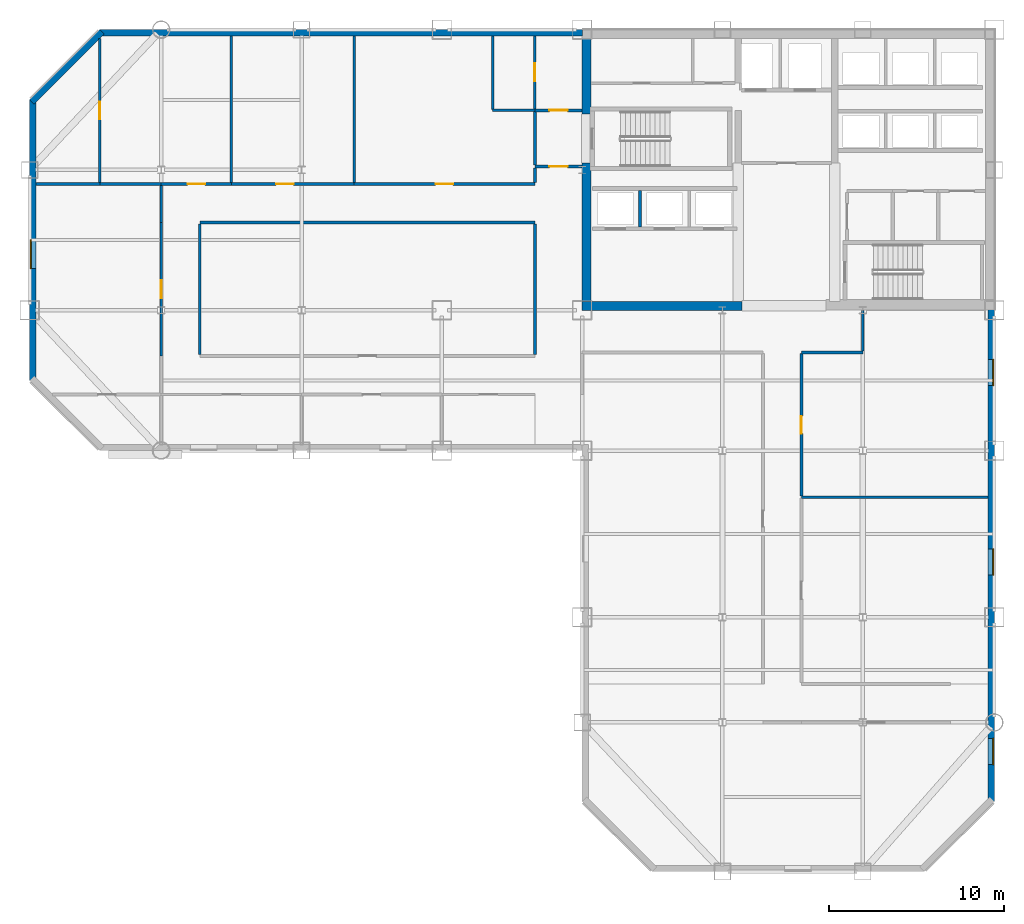
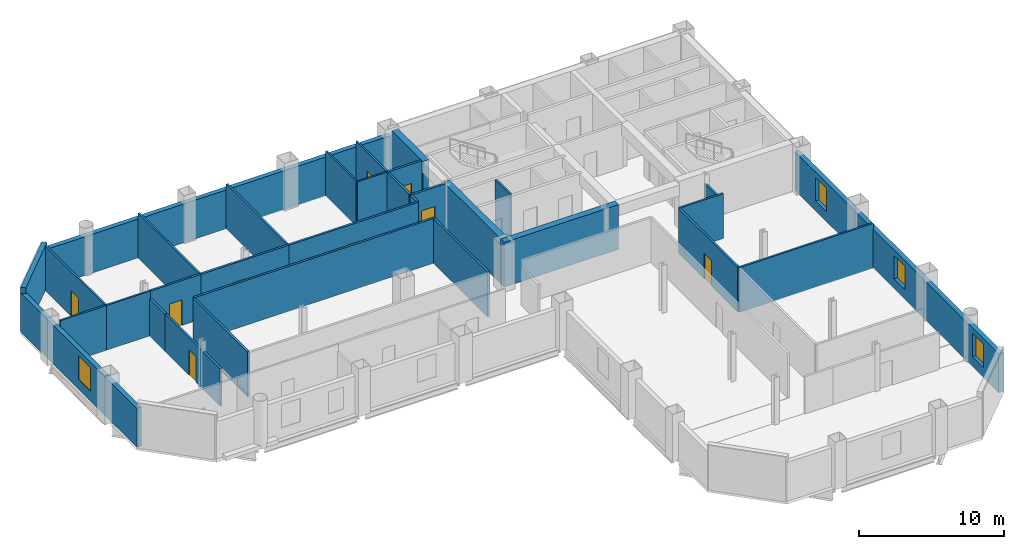
# One storey, part 6 of 10: 32 walls, 9 doors, 4 windows, 13 openings.
"""IFC4 building model written with IfcOpenShell, lengths in metres."""

from ifc_helpers import new_model, si_unit, direction, frame, frame_2d, origin, place, context, subcontext, project, spatial, rectangle, extrude, material, layer, layer_set, type_object, element, fill, save


model = new_model("IFC4")

# Units and contexts
model_context = context("Model", 3, precision=1e-05, world=origin(), true_north=direction((0.0, 1.0)))
body_context = subcontext(model_context, "Body", "Model", "MODEL_VIEW")
ifc_project = project(units=[si_unit("LENGTHUNIT", "METRE"), si_unit("AREAUNIT", "SQUARE_METRE"), si_unit("VOLUMEUNIT", "CUBIC_METRE"), si_unit("PLANEANGLEUNIT", "RADIAN"), si_unit("MASSUNIT", "GRAM", prefix="KILO")], contexts=[model_context])

# Site, building, storey
site_placement = place(None, origin())
site = spatial("IfcSite", under=ifc_project, at=site_placement, CompositionType="ELEMENT")
building_placement = place(site_placement, origin())
building = spatial("IfcBuilding", under=site, at=building_placement, Name="Qianrong Seaharbour Tower", CompositionType="ELEMENT")
storey_placement = place(building_placement, frame((0.0, 0.0, 175.0)))
storey = spatial("IfcBuildingStorey", under=building, at=storey_placement, Name="L42", CompositionType="ELEMENT", Elevation=175.0)

# Walls
ifc_material_1 = material(Name="Concrete C60/75", Category="concrete")
ifc_layer_1 = layer(ifc_material_1, 0.5)
ifc_layer_set_1 = layer_set([ifc_layer_1], Name="Concrete C60/75")
wall_type_1 = type_object("IfcWallType", Name="WALL-CORE-500", PredefinedType="SHEAR", material=ifc_layer_set_1)
wall_1_placement = place(storey_placement, frame((40.75, 36.5, 0.0), z_axis=(0.0, 0.0, 1.0), x_axis=(0.0, 1.0, 0.0)))
element("IfcWall", 1, at=wall_1_placement, inside=storey, type_object=wall_type_1, Name="L42 West Core Shear Wall South", PredefinedType="SHEAR", context=body_context, shape_type="SweptSolid", body=[
    extrude(rectangle(XDim=7.89990234375, YDim=0.5, at=frame_2d((3.949951171875, 0.0))), origin(), (0.0, 0.0, 1.0), 3.764892578125),
])
wall_2_placement = place(storey_placement, frame((40.75, 47.199951171875, 0.0), z_axis=(0.0, 0.0, 1.0), x_axis=(0.0, 1.0, 0.0)))
element("IfcWall", 2, at=wall_2_placement, inside=storey, type_object=wall_type_1, Name="L42 West Core Shear Wall North", PredefinedType="SHEAR", context=body_context, shape_type="SweptSolid", body=[
    extrude(rectangle(XDim=4.300048828125, YDim=0.5, at=frame_2d((2.14990234375, 0.0))), origin(), (0.0, 0.0, 1.0), 3.764892578125),
])
wall_3_placement = place(storey_placement, frame((40.5, 36.25, 0.0), z_axis=(0.0, 0.0, 1.0), x_axis=(1.0, 0.0, 0.0)))
element("IfcWall", 3, at=wall_3_placement, inside=storey, type_object=wall_type_1, Name="L42 South Core Shear Wall S1", PredefinedType="SHEAR", context=body_context, shape_type="SweptSolid", body=[
    extrude(rectangle(XDim=9.10009765625, YDim=0.5, at=frame_2d((4.550048828125, 0.0))), origin(), (0.0, 0.0, 1.0), 3.764892578125),
])

# Wall, opening, door
ifc_material_2 = material(Name="Fire-rated acoustic gypsum board partition")
ifc_layer_2 = layer(ifc_material_2, 0.1650390625)
ifc_layer_set_2 = layer_set([ifc_layer_2], Name="Fire-rated acoustic gypsum board partition")
wall_type_2 = type_object("IfcWallType", Name="WALL-CORR-PART-165", PredefinedType="PARTITIONING", material=ifc_layer_set_2)
wall_4_placement = place(storey_placement, frame((37.800048828125, 47.39990234375, 0.0), z_axis=(0.0, 0.0, 1.0), x_axis=(1.0, 0.0, 0.0)))
wall_4 = element("IfcWall", 4, at=wall_4_placement, inside=storey, type_object=wall_type_2, Name="L42 Interior Partition Wall 001", PredefinedType="PARTITIONING", context=body_context, shape_type="SweptSolid", body=[
    extrude(rectangle(XDim=2.699951171875, YDim=0.1650390625, at=frame_2d((1.35009765625, 0.0))), origin(), (0.0, 0.0, 1.0), 3.764892578125),
])
opening_1_placement = place(wall_4_placement, frame((0.824951171875, 0.0, 0.0)))
opening_1 = element("IfcOpeningElement", 5, at=opening_1_placement, cuts=wall_4, Name="Opening DC-01", PredefinedType="OPENING", context=body_context, shape_type="SweptSolid", body=[
    extrude(rectangle(XDim=1.050048828125, YDim=2.14990234375, at=frame_2d((0.52490234375, 1.074951171875))), frame((0.0, 0.092529296875, 0.0), z_axis=(0.0, -1.0, 0.0), x_axis=(1.0, 0.0, 0.0)), (0.0, 0.0, 1.0), 0.18505859375),
])
ifc_material_3 = material(Name="Acoustic timber and galvanized steel fire door assembly", Category="steel")
door_type_1 = type_object("IfcDoorType", Name="DOOR-CORR-FD60-1050x2150", OperationType="NOTDEFINED", PredefinedType="DOOR", material=ifc_material_3)
door_1_placement = place(opening_1_placement, origin())
door_1 = element("IfcDoor", 6, at=door_1_placement, inside=storey, type_object=door_type_1, Name="L42 Smokeproof Stair Vestibule ST-1 Door", OperationType="SINGLE_SWING_LEFT", OverallHeight=2.14990234375, OverallWidth=1.050048828125, PredefinedType="DOOR", context=body_context, shape_type="SweptSolid", body=[
    extrude(rectangle(XDim=1.050048828125, YDim=2.14990234375, at=frame_2d((0.52490234375, 1.074951171875))), frame((0.0, 0.02490234375, 0.0), z_axis=(0.0, -1.0, 0.0), x_axis=(1.0, 0.0, 0.0)), (0.0, 0.0, 1.0), 0.050048828125),
])
fill(opening_1, door_1)

wall_5_placement = place(storey_placement, frame((40.5, 44.199951171875, 0.0), z_axis=(0.0, 0.0, 1.0), x_axis=(-1.0, 0.0, 0.0)))
wall_5 = element("IfcWall", 7, at=wall_5_placement, inside=storey, type_object=wall_type_2, Name="L42 Interior Partition Wall 002", PredefinedType="PARTITIONING", context=body_context, shape_type="SweptSolid", body=[
    extrude(rectangle(XDim=2.699951171875, YDim=0.1650390625, at=frame_2d((1.35009765625, 0.0))), origin(), (0.0, 0.0, 1.0), 3.764892578125),
])
opening_2_placement = place(wall_5_placement, frame((0.824951171875, 0.0, 0.0)))
opening_2 = element("IfcOpeningElement", 8, at=opening_2_placement, cuts=wall_5, Name="Opening DC-01", PredefinedType="OPENING", context=body_context, shape_type="SweptSolid", body=[
    extrude(rectangle(XDim=1.050048828125, YDim=2.14990234375, at=frame_2d((0.52490234375, 1.074951171875))), frame((0.0, 0.092529296875, 0.0), z_axis=(0.0, -1.0, 0.0), x_axis=(1.0, 0.0, 0.0)), (0.0, 0.0, 1.0), 0.18505859375),
])
door_2_placement = place(opening_2_placement, origin())
door_2 = element("IfcDoor", 9, at=door_2_placement, inside=storey, type_object=door_type_1, Name="L42 Smokeproof Stair Vestibule ST-1 Door", OperationType="SINGLE_SWING_RIGHT", OverallHeight=2.14990234375, OverallWidth=1.050048828125, PredefinedType="DOOR", context=body_context, shape_type="SweptSolid", body=[
    extrude(rectangle(XDim=1.050048828125, YDim=2.14990234375, at=frame_2d((0.52490234375, 1.074951171875))), frame((0.0, 0.02490234375, 0.0), z_axis=(0.0, -1.0, 0.0), x_axis=(1.0, 0.0, 0.0)), (0.0, 0.0, 1.0), 0.050048828125),
])
fill(opening_2, door_2)

# Wall
wall_6_placement = place(storey_placement, frame((37.800048828125, 44.2744140625, 0.0), z_axis=(0.0, 0.0, 1.0), x_axis=(0.0, 1.0, 0.0)))
element("IfcWall", 10, at=wall_6_placement, inside=storey, type_object=wall_type_2, Name="L42 Interior Partition Wall 003", PredefinedType="PARTITIONING", context=body_context, shape_type="SweptSolid", body=[
    extrude(rectangle(XDim=3.051025390625, YDim=0.1650390625, at=frame_2d((1.525390625, 0.0))), origin(), (0.0, 0.0, 1.0), 3.764892578125),
])

# Wall, opening, door
wall_7_placement = place(storey_placement, frame((16.5, 43.199951171875, 0.0), z_axis=(0.0, 0.0, 1.0), x_axis=(1.0, 0.0, 0.0)))
wall_7 = element("IfcWall", 11, at=wall_7_placement, inside=storey, type_object=wall_type_2, Name="L42 Interior Partition Wall 022", PredefinedType="PARTITIONING", context=body_context, shape_type="SweptSolid", body=[
    extrude(rectangle(XDim=4.0, YDim=0.1650390625, at=frame_2d((2.0, 0.0))), origin(), (0.0, 0.0, 1.0), 3.764892578125),
])
opening_3_placement = place(wall_7_placement, frame((1.5, 0.0, 0.0)))
opening_3 = element("IfcOpeningElement", 12, at=opening_3_placement, cuts=wall_7, Name="Opening DO-01", PredefinedType="OPENING", context=body_context, shape_type="SweptSolid", body=[
    extrude(rectangle(XDim=1.0, YDim=2.14990234375, at=frame_2d((0.5, 1.074951171875))), frame((0.0, 0.092529296875, 0.0), z_axis=(0.0, -1.0, 0.0), x_axis=(1.0, 0.0, 0.0)), (0.0, 0.0, 1.0), 0.18505859375),
])
door_type_2 = type_object("IfcDoorType", Name="DOOR-OFFICE-1000x2150", OperationType="NOTDEFINED", PredefinedType="DOOR", material=ifc_material_3)
door_3_placement = place(opening_3_placement, origin())
door_3 = element("IfcDoor", 13, at=door_3_placement, inside=storey, type_object=door_type_2, Name="L42 Physiotherapy Room 2 Door", OperationType="SINGLE_SWING_RIGHT", OverallHeight=2.14990234375, OverallWidth=1.0, PredefinedType="DOOR", context=body_context, shape_type="SweptSolid", body=[
    extrude(rectangle(XDim=1.0, YDim=2.14990234375, at=frame_2d((0.5, 1.074951171875))), frame((0.0, 0.02490234375, 0.0), z_axis=(0.0, -1.0, 0.0), x_axis=(1.0, 0.0, 0.0)), (0.0, 0.0, 1.0), 0.050048828125),
])
fill(opening_3, door_3)

wall_8_placement = place(storey_placement, frame((20.5, 43.199951171875, 0.0), z_axis=(0.0, 0.0, 1.0), x_axis=(1.0, 0.0, 0.0)))
wall_8 = element("IfcWall", 14, at=wall_8_placement, inside=storey, type_object=wall_type_2, Name="L42 Interior Partition Wall 023", PredefinedType="PARTITIONING", context=body_context, shape_type="SweptSolid", body=[
    extrude(rectangle(XDim=7.0, YDim=0.1650390625, at=frame_2d((3.5, 0.0))), origin(), (0.0, 0.0, 1.0), 3.764892578125),
])
opening_4_placement = place(wall_8_placement, frame((2.550048828125, 0.0, 0.0)))
opening_4 = element("IfcOpeningElement", 15, at=opening_4_placement, cuts=wall_8, Name="Opening DO-01", PredefinedType="OPENING", context=body_context, shape_type="SweptSolid", body=[
    extrude(rectangle(XDim=1.0, YDim=2.14990234375, at=frame_2d((0.5, 1.074951171875))), frame((0.0, 0.092529296875, 0.0), z_axis=(0.0, -1.0, 0.0), x_axis=(1.0, 0.0, 0.0)), (0.0, 0.0, 1.0), 0.18505859375),
])
door_4_placement = place(opening_4_placement, origin())
door_4 = element("IfcDoor", 16, at=door_4_placement, inside=storey, type_object=door_type_2, Name="L42 First Aid Nursing Room 3 Door", OperationType="SINGLE_SWING_LEFT", OverallHeight=2.14990234375, OverallWidth=1.0, PredefinedType="DOOR", context=body_context, shape_type="SweptSolid", body=[
    extrude(rectangle(XDim=1.0, YDim=2.14990234375, at=frame_2d((0.5, 1.074951171875))), frame((0.0, 0.02490234375, 0.0), z_axis=(0.0, -1.0, 0.0), x_axis=(1.0, 0.0, 0.0)), (0.0, 0.0, 1.0), 0.050048828125),
])
fill(opening_4, door_4)

wall_9_placement = place(storey_placement, frame((27.5, 43.199951171875, 0.0), z_axis=(0.0, 0.0, 1.0), x_axis=(1.0, 0.0, 0.0)))
wall_9 = element("IfcWall", 17, at=wall_9_placement, inside=storey, type_object=wall_type_2, Name="L42 Interior Partition Wall 024", PredefinedType="PARTITIONING", context=body_context, shape_type="SweptSolid", body=[
    extrude(rectangle(XDim=10.300048828125, YDim=0.1650390625, at=frame_2d((5.14990234375, 0.0))), origin(), (0.0, 0.0, 1.0), 3.764892578125),
])
opening_5_placement = place(wall_9_placement, frame((4.64990234375, 0.0, 0.0)))
opening_5 = element("IfcOpeningElement", 18, at=opening_5_placement, cuts=wall_9, Name="Opening DO-01", PredefinedType="OPENING", context=body_context, shape_type="SweptSolid", body=[
    extrude(rectangle(XDim=1.0, YDim=2.14990234375, at=frame_2d((0.5, 1.074951171875))), frame((0.0, 0.092529296875, 0.0), z_axis=(0.0, -1.0, 0.0), x_axis=(1.0, 0.0, 0.0)), (0.0, 0.0, 1.0), 0.18505859375),
])
door_5_placement = place(opening_5_placement, origin())
door_5 = element("IfcDoor", 19, at=door_5_placement, inside=storey, type_object=door_type_2, Name="L42 Case Coordinator Office 4 Door", OperationType="SINGLE_SWING_RIGHT", OverallHeight=2.14990234375, OverallWidth=1.0, PredefinedType="DOOR", context=body_context, shape_type="SweptSolid", body=[
    extrude(rectangle(XDim=1.0, YDim=2.14990234375, at=frame_2d((0.5, 1.074951171875))), frame((0.0, 0.02490234375, 0.0), z_axis=(0.0, -1.0, 0.0), x_axis=(1.0, 0.0, 0.0)), (0.0, 0.0, 1.0), 0.050048828125),
])
fill(opening_5, door_5)

# Walls
wall_10_placement = place(storey_placement, frame((37.800048828125, 41.0, 0.0), z_axis=(0.0, 0.0, 1.0), x_axis=(-1.0, 0.0, 0.0)))
element("IfcWall", 20, at=wall_10_placement, inside=storey, type_object=wall_type_2, Name="L42 Interior Partition Wall 025", PredefinedType="PARTITIONING", context=body_context, shape_type="SweptSolid", body=[
    extrude(rectangle(XDim=19.10009765625, YDim=0.1650390625, at=frame_2d((9.550048828125, 0.0))), origin(), (0.0, 0.0, 1.0), 3.764892578125),
])
wall_11_placement = place(storey_placement, frame((16.5, 41.0, 0.0), z_axis=(0.0, 0.0, 1.0), x_axis=(0.0, 1.0, 0.0)))
element("IfcWall", 21, at=wall_11_placement, inside=storey, type_object=wall_type_2, Name="L42 Interior Partition Wall 026", PredefinedType="PARTITIONING", context=body_context, shape_type="SweptSolid", body=[
    extrude(rectangle(XDim=2.12548828125, YDim=0.1650390625, at=frame_2d((1.062744140625, 0.0))), origin(), (0.0, 0.0, 1.0), 3.156982421875),
])
wall_12_placement = place(storey_placement, frame((18.699951171875, 40.925537109375, 0.0), z_axis=(0.0, 0.0, 1.0), x_axis=(0.0, -1.0, 0.0)))
element("IfcWall", 22, at=wall_12_placement, inside=storey, type_object=wall_type_2, Name="L42 Interior Partition Wall 027", PredefinedType="PARTITIONING", context=body_context, shape_type="SweptSolid", body=[
    extrude(rectangle(XDim=7.450927734375, YDim=0.1650390625, at=frame_2d((3.7255859375, 0.0))), origin(), (0.0, 0.0, 1.0), 3.764892578125),
])

# Wall, opening, door
wall_13_placement = place(storey_placement, frame((16.5, 33.39990234375, 0.0), z_axis=(0.0, 0.0, 1.0), x_axis=(0.0, 1.0, 0.0)))
wall_13 = element("IfcWall", 23, at=wall_13_placement, inside=storey, type_object=wall_type_2, Name="L42 Interior Partition Wall 028", PredefinedType="PARTITIONING", context=body_context, shape_type="SweptSolid", body=[
    extrude(rectangle(XDim=7.60009765625, YDim=0.1650390625, at=frame_2d((3.800048828125, 0.0))), origin(), (0.0, 0.0, 1.0), 3.156982421875),
])
opening_6_placement = place(wall_13_placement, frame((3.300048828125, 0.0, 0.0)))
opening_6 = element("IfcOpeningElement", 24, at=opening_6_placement, cuts=wall_13, Name="Opening DO-01", PredefinedType="OPENING", context=body_context, shape_type="SweptSolid", body=[
    extrude(rectangle(XDim=1.0, YDim=2.14990234375, at=frame_2d((0.5, 1.074951171875))), frame((0.0, 0.092529296875, 0.0), z_axis=(0.0, -1.0, 0.0), x_axis=(1.0, 0.0, 0.0)), (0.0, 0.0, 1.0), 0.18505859375),
])
door_6_placement = place(opening_6_placement, origin())
door_6 = element("IfcDoor", 25, at=door_6_placement, inside=storey, type_object=door_type_2, Name="L42 Ergonomics Assessment Hall Door", OperationType="SINGLE_SWING_RIGHT", OverallHeight=2.14990234375, OverallWidth=1.0, PredefinedType="DOOR", context=body_context, shape_type="SweptSolid", body=[
    extrude(rectangle(XDim=1.0, YDim=2.14990234375, at=frame_2d((0.5, 1.074951171875))), frame((0.0, 0.02490234375, 0.0), z_axis=(0.0, -1.0, 0.0), x_axis=(1.0, 0.0, 0.0)), (0.0, 0.0, 1.0), 0.050048828125),
])
fill(opening_6, door_6)

# Walls
wall_14_placement = place(storey_placement, frame((37.800048828125, 43.2744140625, 0.0), z_axis=(0.0, 0.0, 1.0), x_axis=(0.0, 1.0, 0.0)))
element("IfcWall", 26, at=wall_14_placement, inside=storey, type_object=wall_type_2, Name="L42 Interior Partition Wall 029", PredefinedType="PARTITIONING", context=body_context, shape_type="SweptSolid", body=[
    extrude(rectangle(XDim=0.85107421875, YDim=0.1650390625, at=frame_2d((0.425537109375, 0.0))), origin(), (0.0, 0.0, 1.0), 3.764892578125),
])
wall_15_placement = place(storey_placement, frame((37.800048828125, 33.474609375, 0.0), z_axis=(0.0, 0.0, 1.0), x_axis=(0.0, 1.0, 0.0)))
element("IfcWall", 27, at=wall_15_placement, inside=storey, type_object=wall_type_2, Name="L42 Interior Partition Wall 030", PredefinedType="PARTITIONING", context=body_context, shape_type="SweptSolid", body=[
    extrude(rectangle(XDim=7.450927734375, YDim=0.1650390625, at=frame_2d((3.7255859375, 0.0))), origin(), (0.0, 0.0, 1.0), 3.764892578125),
])
wall_16_placement = place(storey_placement, frame((56.5, 36.0, 0.0), z_axis=(0.0, 0.0, 1.0), x_axis=(0.0, -1.0, 0.0)))
element("IfcWall", 28, at=wall_16_placement, inside=storey, type_object=wall_type_2, Name="L42 Interior Partition Wall 032", PredefinedType="PARTITIONING", context=body_context, shape_type="SweptSolid", body=[
    extrude(rectangle(XDim=2.325439453125, YDim=0.1650390625, at=frame_2d((1.16259765625, 0.0))), origin(), (0.0, 0.0, 1.0), 3.156982421875),
])
wall_17_placement = place(storey_placement, frame((56.5, 33.60009765625, 0.0), z_axis=(0.0, 0.0, 1.0), x_axis=(-1.0, 0.0, 0.0)))
element("IfcWall", 29, at=wall_17_placement, inside=storey, type_object=wall_type_2, Name="L42 Interior Partition Wall 033", PredefinedType="PARTITIONING", context=body_context, shape_type="SweptSolid", body=[
    extrude(rectangle(XDim=3.5, YDim=0.1650390625, at=frame_2d((1.75, 0.0))), origin(), (0.0, 0.0, 1.0), 3.764892578125),
])

# Wall, opening, door
wall_18_placement = place(storey_placement, frame((53.0, 33.525390625, 0.0), z_axis=(0.0, 0.0, 1.0), x_axis=(0.0, -1.0, 0.0)))
wall_18 = element("IfcWall", 30, at=wall_18_placement, inside=storey, type_object=wall_type_2, Name="L42 Interior Partition Wall 037", PredefinedType="PARTITIONING", context=body_context, shape_type="SweptSolid", body=[
    extrude(rectangle(XDim=8.11083984375, YDim=0.1650390625, at=frame_2d((4.055419921875, 0.0))), origin(), (0.0, 0.0, 1.0), 3.764892578125),
])
opening_7_placement = place(wall_18_placement, frame((3.555419921875, 0.0, 0.0)))
opening_7 = element("IfcOpeningElement", 31, at=opening_7_placement, cuts=wall_18, Name="Opening DO-01", PredefinedType="OPENING", context=body_context, shape_type="SweptSolid", body=[
    extrude(rectangle(XDim=1.0, YDim=2.14990234375, at=frame_2d((0.5, 1.074951171875))), frame((0.0, 0.092529296875, 0.0), z_axis=(0.0, -1.0, 0.0), x_axis=(1.0, 0.0, 0.0)), (0.0, 0.0, 1.0), 0.18505859375),
])
door_7_placement = place(opening_7_placement, origin())
door_7 = element("IfcDoor", 32, at=door_7_placement, inside=storey, type_object=door_type_2, Name="L42 Wellness Room 1 Door", OperationType="SINGLE_SWING_RIGHT", OverallHeight=2.14990234375, OverallWidth=1.0, PredefinedType="DOOR", context=body_context, shape_type="SweptSolid", body=[
    extrude(rectangle(XDim=1.0, YDim=2.14990234375, at=frame_2d((0.5, 1.074951171875))), frame((0.0, 0.02490234375, 0.0), z_axis=(0.0, -1.0, 0.0), x_axis=(1.0, 0.0, 0.0)), (0.0, 0.0, 1.0), 0.050048828125),
])
fill(opening_7, door_7)

# Wall, opening, window
ifc_material_4 = material(Name="Unitised red brick on Precast concrete C45/55", Category="masonry")
ifc_layer_3 = layer(ifc_material_4, 0.360107421875)
ifc_layer_set_3 = layer_set([ifc_layer_3], Name="Unitised red brick on Precast concrete C45/55")
wall_type_3 = type_object("IfcWallType", Name="WALL-EXT-BRICK-RED-360", PredefinedType="SOLIDWALL", material=ifc_layer_set_3)
wall_19_placement = place(storey_placement, frame((9.179931640625, 32.0, 0.0), z_axis=(0.0, 0.0, 1.0), x_axis=(0.0, 1.0, 0.0)))
wall_19 = element("IfcWall", 33, at=wall_19_placement, inside=storey, type_object=wall_type_3, Name="L42 Exterior Masonry Facade Wall WEST_TIP", PredefinedType="SOLIDWALL", context=body_context, shape_type="SweptSolid", body=[
    extrude(rectangle(XDim=16.0, YDim=0.360107421875, at=frame_2d((8.0, 0.0))), origin(), (0.0, 0.0, 1.0), 3.264892578125),
])
opening_8_placement = place(wall_19_placement, frame((6.375, 0.0, 0.85009765625)))
opening_8 = element("IfcOpeningElement", 34, at=opening_8_placement, cuts=wall_19, Name="Opening WN-04", PredefinedType="OPENING", context=body_context, shape_type="SweptSolid", body=[
    extrude(rectangle(XDim=1.64990234375, YDim=1.949951171875, at=frame_2d((0.824951171875, 0.97509765625))), frame((0.0, 0.18994140625, 0.0), z_axis=(0.0, -1.0, 0.0), x_axis=(1.0, 0.0, 0.0)), (0.0, 0.0, 1.0), 0.380126953125),
])
ifc_material_5 = material(Name="Insulated low-e double glazing in thermally broken aluminium 6063-T6 frame", Category="aluminium")
window_type_1 = type_object("IfcWindowType", Name="WIN-PUNCH-1650x1950", PartitioningType="DOUBLE_PANEL_VERTICAL", PredefinedType="WINDOW", material=ifc_material_5)
window_1_placement = place(opening_8_placement, origin())
window_1 = element("IfcWindow", 35, at=window_1_placement, inside=storey, type_object=window_type_1, Name="L42 Deep-Set Punched Window 03.02", OverallHeight=1.949951171875, OverallWidth=1.64990234375, PartitioningType="DOUBLE_PANEL_VERTICAL", PredefinedType="WINDOW", context=body_context, shape_type="SweptSolid", body=[
    extrude(rectangle(XDim=1.64990234375, YDim=1.949951171875, at=frame_2d((0.824951171875, 0.97509765625))), frame((0.0, 0.150146484375, 0.0), z_axis=(0.0, -1.0, 0.0), x_axis=(1.0, 0.0, 0.0)), (0.0, 0.0, 1.0), 0.06005859375),
])
fill(opening_8, window_1)

# Walls
wall_20_placement = place(storey_placement, frame((9.127197265625, 47.872802734375, 0.0), z_axis=(0.0, 0.0, 1.0), x_axis=(0.707106781187, 0.707106781187, 0.0)))
element("IfcWall", 36, at=wall_20_placement, inside=storey, type_object=wall_type_3, Name="L42 Exterior Masonry Facade Wall E04", PredefinedType="SOLIDWALL", context=body_context, shape_type="SweptSolid", body=[
    extrude(rectangle(XDim=5.65673828125, YDim=0.360107421875, at=frame_2d((2.828369140625, 0.0))), origin(), (0.0, 0.0, 1.0), 3.764892578125),
])
wall_21_placement = place(storey_placement, frame((13.0, 51.820068359375, 0.0), z_axis=(0.0, 0.0, 1.0), x_axis=(1.0, 0.0, 0.0)))
element("IfcWall", 37, at=wall_21_placement, inside=storey, type_object=wall_type_3, Name="L42 Exterior Masonry Facade Wall NORTH_WING", PredefinedType="SOLIDWALL", context=body_context, shape_type="SweptSolid", body=[
    extrude(rectangle(XDim=27.52001953125, YDim=0.360107421875, at=frame_2d((13.760009765625, 0.0))), origin(), (0.0, 0.0, 1.0), 3.264892578125),
])

# Wall, openings, windows
wall_22_placement = place(storey_placement, frame((63.820068359375, 36.050048828125, 0.0), z_axis=(0.0, 0.0, 1.0), x_axis=(0.0, -1.0, 0.0)))
wall_22 = element("IfcWall", 38, at=wall_22_placement, inside=storey, type_object=wall_type_3, Name="L42 Exterior Masonry Facade Wall EAST_WING", PredefinedType="SOLIDWALL", context=body_context, shape_type="SweptSolid", body=[
    extrude(rectangle(XDim=28.050048828125, YDim=0.360107421875, at=frame_2d((14.02490234375, 0.0))), origin(), (0.0, 0.0, 1.0), 3.264892578125),
])
opening_9_placement = place(wall_22_placement, frame((2.85009765625, 0.0, 0.85009765625)))
opening_9 = element("IfcOpeningElement", 39, at=opening_9_placement, cuts=wall_22, Name="Opening WN-03", PredefinedType="OPENING", context=body_context, shape_type="SweptSolid", body=[
    extrude(rectangle(XDim=1.5, YDim=1.949951171875, at=frame_2d((0.75, 0.97509765625))), frame((0.0, 0.18994140625, 0.0), z_axis=(0.0, -1.0, 0.0), x_axis=(1.0, 0.0, 0.0)), (0.0, 0.0, 1.0), 0.380126953125),
])
opening_10_placement = place(wall_22_placement, frame((13.64990234375, 0.0, 0.85009765625)))
opening_10 = element("IfcOpeningElement", 40, at=opening_10_placement, cuts=wall_22, Name="Opening WN-03", PredefinedType="OPENING", context=body_context, shape_type="SweptSolid", body=[
    extrude(rectangle(XDim=1.5, YDim=1.949951171875, at=frame_2d((0.75, 0.97509765625))), frame((0.0, 0.18994140625, 0.0), z_axis=(0.0, -1.0, 0.0), x_axis=(1.0, 0.0, 0.0)), (0.0, 0.0, 1.0), 0.380126953125),
])
opening_11_placement = place(wall_22_placement, frame((24.449951171875, 0.0, 0.85009765625)))
opening_11 = element("IfcOpeningElement", 41, at=opening_11_placement, cuts=wall_22, Name="Opening WN-03", PredefinedType="OPENING", context=body_context, shape_type="SweptSolid", body=[
    extrude(rectangle(XDim=1.5, YDim=1.949951171875, at=frame_2d((0.75, 0.97509765625))), frame((0.0, 0.18994140625, 0.0), z_axis=(0.0, -1.0, 0.0), x_axis=(1.0, 0.0, 0.0)), (0.0, 0.0, 1.0), 0.380126953125),
])
window_type_2 = type_object("IfcWindowType", Name="WIN-PUNCH-1500x1950", PartitioningType="DOUBLE_PANEL_VERTICAL", PredefinedType="WINDOW", material=ifc_material_5)
window_2_placement = place(opening_9_placement, origin())
window_2 = element("IfcWindow", 42, at=window_2_placement, inside=storey, type_object=window_type_2, Name="L42 Deep-Set Punched Window 06.01", OverallHeight=1.949951171875, OverallWidth=1.5, PartitioningType="DOUBLE_PANEL_VERTICAL", PredefinedType="WINDOW", context=body_context, shape_type="SweptSolid", body=[
    extrude(rectangle(XDim=1.5, YDim=1.949951171875, at=frame_2d((0.75, 0.97509765625))), frame((0.0, 0.150146484375, 0.0), z_axis=(0.0, -1.0, 0.0), x_axis=(1.0, 0.0, 0.0)), (0.0, 0.0, 1.0), 0.06005859375),
])
fill(opening_9, window_2)
window_3_placement = place(opening_10_placement, origin())
window_3 = element("IfcWindow", 43, at=window_3_placement, inside=storey, type_object=window_type_2, Name="L42 Deep-Set Punched Window 06.04", OverallHeight=1.949951171875, OverallWidth=1.5, PartitioningType="DOUBLE_PANEL_VERTICAL", PredefinedType="WINDOW", context=body_context, shape_type="SweptSolid", body=[
    extrude(rectangle(XDim=1.5, YDim=1.949951171875, at=frame_2d((0.75, 0.97509765625))), frame((0.0, 0.150146484375, 0.0), z_axis=(0.0, -1.0, 0.0), x_axis=(1.0, 0.0, 0.0)), (0.0, 0.0, 1.0), 0.06005859375),
])
fill(opening_10, window_3)
window_4_placement = place(opening_11_placement, origin())
window_4 = element("IfcWindow", 44, at=window_4_placement, inside=storey, type_object=window_type_2, Name="L42 Deep-Set Punched Window 06.07", OverallHeight=1.949951171875, OverallWidth=1.5, PartitioningType="DOUBLE_PANEL_VERTICAL", PredefinedType="WINDOW", context=body_context, shape_type="SweptSolid", body=[
    extrude(rectangle(XDim=1.5, YDim=1.949951171875, at=frame_2d((0.75, 0.97509765625))), frame((0.0, 0.150146484375, 0.0), z_axis=(0.0, -1.0, 0.0), x_axis=(1.0, 0.0, 0.0)), (0.0, 0.0, 1.0), 0.06005859375),
])
fill(opening_11, window_4)

# Wall
ifc_material_6 = material(Name="Acoustic gypsum board stud partition")
ifc_layer_4 = layer(ifc_material_6, 0.14501953125)
ifc_layer_set_4 = layer_set([ifc_layer_4], Name="Acoustic gypsum board stud partition")
wall_type_4 = type_object("IfcWallType", Name="WALL-OFFICE-PART-145", PredefinedType="PARTITIONING", material=ifc_layer_set_4)
wall_23_placement = place(storey_placement, frame((53.0, 25.35009765625, 0.0), z_axis=(0.0, 0.0, 1.0), x_axis=(1.0, 0.0, 0.0)))
element("IfcWall", 45, at=wall_23_placement, inside=storey, type_object=wall_type_4, Name="L42 Interior Partition Wall 041", PredefinedType="PARTITIONING", context=body_context, shape_type="SweptSolid", body=[
    extrude(rectangle(XDim=10.64794921875, YDim=0.14501953125, at=frame_2d((5.323974609375, 0.0))), origin(), (0.0, 0.0, 1.0), 3.764892578125),
])

# Wall, opening, door
wall_24_placement = place(storey_placement, frame((13.0, 51.502197265625, 0.0), z_axis=(0.0, 0.0, 1.0), x_axis=(0.0, -1.0, 0.0)))
wall_24 = element("IfcWall", 46, at=wall_24_placement, inside=storey, type_object=wall_type_4, Name="L42 Interior Partition Wall 042", PredefinedType="PARTITIONING", context=body_context, shape_type="SweptSolid", body=[
    extrude(rectangle(XDim=8.23779296875, YDim=0.14501953125, at=frame_2d((4.118896484375, 0.0))), origin(), (0.0, 0.0, 1.0), 3.764892578125),
])
opening_12_placement = place(wall_24_placement, frame((3.618896484375, 0.0, 0.0)))
opening_12 = element("IfcOpeningElement", 47, at=opening_12_placement, cuts=wall_24, Name="Opening DO-01", PredefinedType="OPENING", context=body_context, shape_type="SweptSolid", body=[
    extrude(rectangle(XDim=1.0, YDim=2.14990234375, at=frame_2d((0.5, 1.074951171875))), frame((0.0, 0.08251953125, 0.0), z_axis=(0.0, -1.0, 0.0), x_axis=(1.0, 0.0, 0.0)), (0.0, 0.0, 1.0), 0.1650390625),
])
door_8_placement = place(opening_12_placement, origin())
door_8 = element("IfcDoor", 48, at=door_8_placement, inside=storey, type_object=door_type_2, Name="L42 Occupational Health Clinic 1 Door", OperationType="SINGLE_SWING_LEFT", OverallHeight=2.14990234375, OverallWidth=1.0, PredefinedType="DOOR", context=body_context, shape_type="SweptSolid", body=[
    extrude(rectangle(XDim=1.0, YDim=2.14990234375, at=frame_2d((0.5, 1.074951171875))), frame((0.0, 0.02490234375, 0.0), z_axis=(0.0, -1.0, 0.0), x_axis=(1.0, 0.0, 0.0)), (0.0, 0.0, 1.0), 0.050048828125),
])
fill(opening_12, door_8)

# Walls
wall_25_placement = place(storey_placement, frame((13.0, 43.199951171875, 0.0), z_axis=(0.0, 0.0, 1.0), x_axis=(-1.0, 0.0, 0.0)))
element("IfcWall", 49, at=wall_25_placement, inside=storey, type_object=wall_type_4, Name="L42 Interior Partition Wall 043", PredefinedType="PARTITIONING", context=body_context, shape_type="SweptSolid", body=[
    extrude(rectangle(XDim=3.64794921875, YDim=0.14501953125, at=frame_2d((1.823974609375, 0.0))), origin(), (0.0, 0.0, 1.0), 3.764892578125),
])
wall_26_placement = place(storey_placement, frame((20.5, 51.64794921875, 0.0), z_axis=(0.0, 0.0, 1.0), x_axis=(0.0, -1.0, 0.0)))
element("IfcWall", 50, at=wall_26_placement, inside=storey, type_object=wall_type_4, Name="L42 Interior Partition Wall 044", PredefinedType="PARTITIONING", context=body_context, shape_type="SweptSolid", body=[
    extrude(rectangle(XDim=8.37353515625, YDim=0.14501953125, at=frame_2d((4.186767578125, 0.0))), origin(), (0.0, 0.0, 1.0), 3.764892578125),
])
wall_27_placement = place(storey_placement, frame((16.5, 43.199951171875, 0.0), z_axis=(0.0, 0.0, 1.0), x_axis=(-1.0, 0.0, 0.0)))
element("IfcWall", 51, at=wall_27_placement, inside=storey, type_object=wall_type_4, Name="L42 Interior Partition Wall 045", PredefinedType="PARTITIONING", context=body_context, shape_type="SweptSolid", body=[
    extrude(rectangle(XDim=3.5, YDim=0.14501953125, at=frame_2d((1.75, 0.0))), origin(), (0.0, 0.0, 1.0), 3.764892578125),
])
wall_28_placement = place(storey_placement, frame((27.5, 51.64794921875, 0.0), z_axis=(0.0, 0.0, 1.0), x_axis=(0.0, -1.0, 0.0)))
element("IfcWall", 52, at=wall_28_placement, inside=storey, type_object=wall_type_4, Name="L42 Interior Partition Wall 046", PredefinedType="PARTITIONING", context=body_context, shape_type="SweptSolid", body=[
    extrude(rectangle(XDim=8.37353515625, YDim=0.14501953125, at=frame_2d((4.186767578125, 0.0))), origin(), (0.0, 0.0, 1.0), 3.764892578125),
])
ifc_material_7 = material(Name="Fire-rated gypsum board on steel studs", Category="steel")
ifc_layer_5 = layer(ifc_material_7, 0.14990234375)
ifc_layer_set_5 = layer_set([ifc_layer_5], Name="Fire-rated gypsum board on steel studs")
wall_type_5 = type_object("IfcWallType", Name="WALL-SHAFT-DIV-150", PredefinedType="PARTITIONING", material=ifc_layer_set_5)
wall_29_placement = place(storey_placement, frame((43.800048828125, 40.760009765625, 0.0), z_axis=(0.0, 0.0, 1.0), x_axis=(0.0, 1.0, 0.0)))
element("IfcWall", 53, at=wall_29_placement, inside=storey, type_object=wall_type_5, Name="L42 P2 Lift Hoistway Divider 2", PredefinedType="PARTITIONING", context=body_context, shape_type="SweptSolid", body=[
    extrude(rectangle(XDim=2.080078125, YDim=0.14990234375, at=frame_2d((1.0400390625, 0.0))), origin(), (0.0, 0.0, 1.0), 3.764892578125),
])

# Wall, opening, door
ifc_material_8 = material(Name="Water-resistant cement board sanitary partition")
ifc_layer_6 = layer(ifc_material_8, 0.1298828125)
ifc_layer_set_6 = layer_set([ifc_layer_6], Name="Water-resistant cement board sanitary partition")
wall_type_6 = type_object("IfcWallType", Name="WALL-WET-PART-130", PredefinedType="PARTITIONING", material=ifc_layer_set_6)
wall_30_placement = place(storey_placement, frame((37.800048828125, 47.474609375, 0.0), z_axis=(0.0, 0.0, 1.0), x_axis=(0.0, 1.0, 0.0)))
wall_30 = element("IfcWall", 54, at=wall_30_placement, inside=storey, type_object=wall_type_6, Name="L42 Interior Partition Wall 004", PredefinedType="PARTITIONING", context=body_context, shape_type="SweptSolid", body=[
    extrude(rectangle(XDim=4.17333984375, YDim=0.1298828125, at=frame_2d((2.086669921875, 0.0))), origin(), (0.0, 0.0, 1.0), 3.764892578125),
])
opening_13_placement = place(wall_30_placement, frame((1.57666015625, 0.0, 0.0)))
opening_13 = element("IfcOpeningElement", 55, at=opening_13_placement, cuts=wall_30, Name="Opening DAW-01", PredefinedType="OPENING", context=body_context, shape_type="SweptSolid", body=[
    extrude(rectangle(XDim=1.02001953125, YDim=2.14990234375, at=frame_2d((0.510009765625, 1.074951171875))), frame((0.0, 0.074951171875, 0.0), z_axis=(0.0, -1.0, 0.0), x_axis=(1.0, 0.0, 0.0)), (0.0, 0.0, 1.0), 0.14990234375),
])
door_type_3 = type_object("IfcDoorType", Name="DOOR-AWC-SLIDE-1020x2150", OperationType="SLIDING_TO_LEFT", PredefinedType="DOOR", material=ifc_material_3)
door_9_placement = place(opening_13_placement, origin())
door_9 = element("IfcDoor", 56, at=door_9_placement, inside=storey, type_object=door_type_3, Name="L42 Accessible Restroom WC Door", OperationType="SLIDING_TO_LEFT", OverallHeight=2.14990234375, OverallWidth=1.02001953125, PredefinedType="DOOR", context=body_context, shape_type="SweptSolid", body=[
    extrude(rectangle(XDim=1.02001953125, YDim=2.14990234375, at=frame_2d((0.510009765625, 1.074951171875))), frame((0.0, 0.02490234375, 0.0), z_axis=(0.0, -1.0, 0.0), x_axis=(1.0, 0.0, 0.0)), (0.0, 0.0, 1.0), 0.050048828125),
])
fill(opening_13, door_9)

# Walls
wall_31_placement = place(storey_placement, frame((37.800048828125, 47.39990234375, 0.0), z_axis=(0.0, 0.0, 1.0), x_axis=(-1.0, 0.0, 0.0)))
element("IfcWall", 57, at=wall_31_placement, inside=storey, type_object=wall_type_6, Name="L42 Interior Partition Wall 005", PredefinedType="PARTITIONING", context=body_context, shape_type="SweptSolid", body=[
    extrude(rectangle(XDim=2.400146484375, YDim=0.1298828125, at=frame_2d((1.2001953125, 0.0))), origin(), (0.0, 0.0, 1.0), 3.764892578125),
])
wall_32_placement = place(storey_placement, frame((35.39990234375, 47.45703125, 0.0), z_axis=(0.0, 0.0, 1.0), x_axis=(0.0, 1.0, 0.0)))
element("IfcWall", 58, at=wall_32_placement, inside=storey, type_object=wall_type_6, Name="L42 Interior Partition Wall 006", PredefinedType="PARTITIONING", context=body_context, shape_type="SweptSolid", body=[
    extrude(rectangle(XDim=4.19091796875, YDim=0.1298828125, at=frame_2d((2.095458984375, 0.0))), origin(), (0.0, 0.0, 1.0), 3.764892578125),
])

save(model, "model.ifc")
